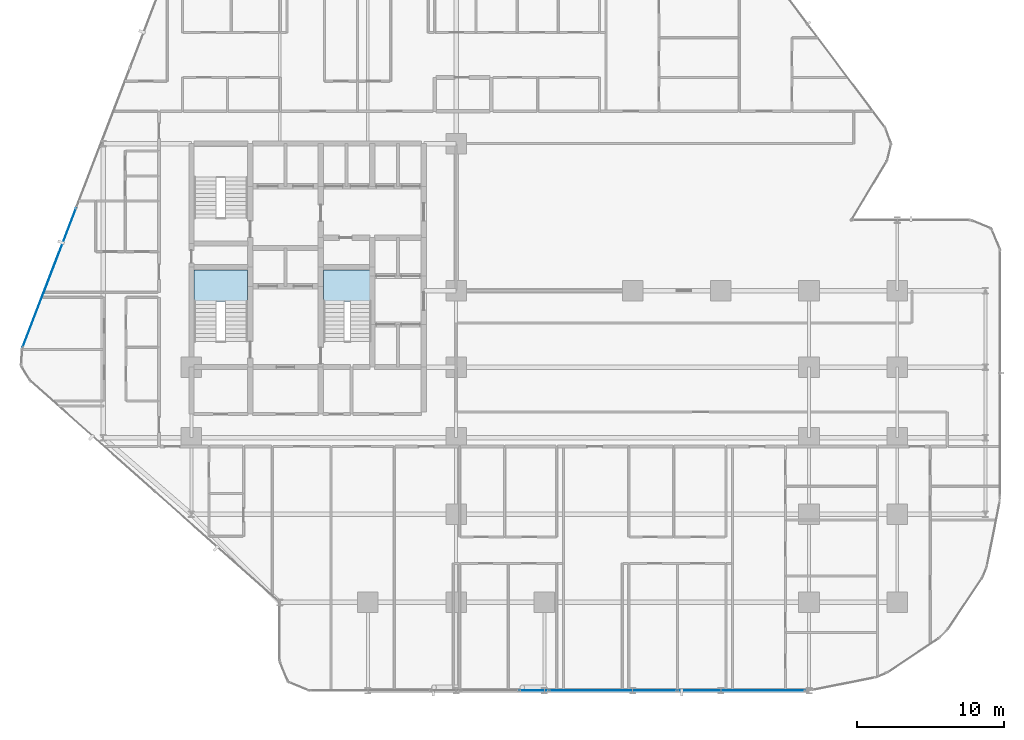
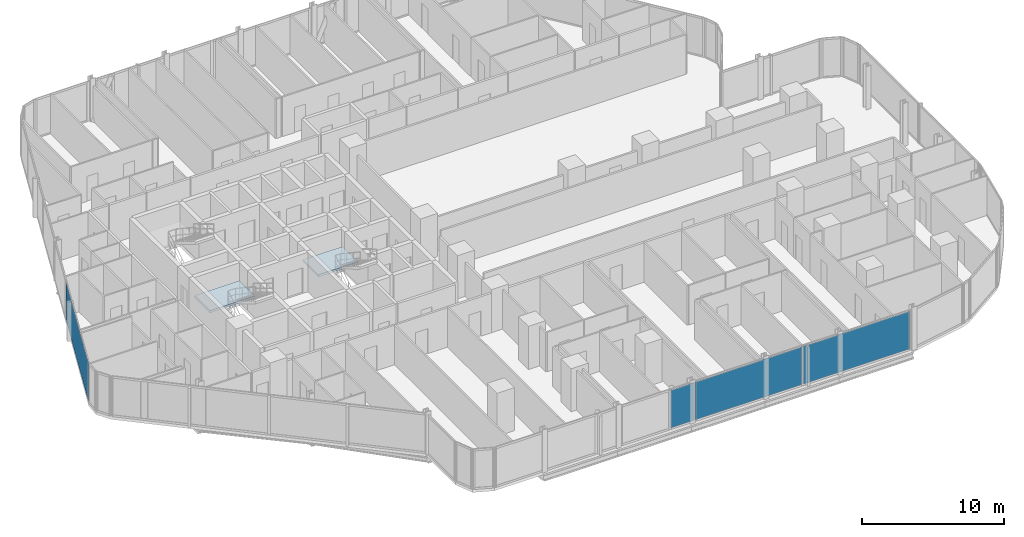
# One storey, part 21 of 34: 4 plates, 2 slabs, 5 elements without a shape of their own.
"""IFC4 building model written with IfcOpenShell, lengths in metres."""

from ifc_helpers import new_model, si_unit, direction, frame, origin, origin_2d, place, context, subcontext, project, spatial, polyline, rectangle, outline, extrude, material, layer, layer_set, type_object, element, aggregate, save


model = new_model("IFC4")

# Units and contexts
model_context = context("Model", 3, precision=1e-05, world=origin(), true_north=direction((0.0, 1.0)))
body_context = subcontext(model_context, "Body", "Model", "MODEL_VIEW")
ifc_project = project(units=[si_unit("LENGTHUNIT", "METRE"), si_unit("AREAUNIT", "SQUARE_METRE"), si_unit("VOLUMEUNIT", "CUBIC_METRE"), si_unit("PLANEANGLEUNIT", "RADIAN"), si_unit("MASSUNIT", "GRAM", prefix="KILO")], contexts=[model_context])

# Site, building, storey
site_placement = place(None, origin())
site = spatial("IfcSite", under=ifc_project, at=site_placement, CompositionType="ELEMENT")
building_placement = place(site_placement, origin())
building = spatial("IfcBuilding", under=site, at=building_placement, Name="Keshet Zoharim Tower", CompositionType="ELEMENT")
storey_placement = place(building_placement, frame((0.0, 0.0, 46.199951171875)))
storey = spatial("IfcBuildingStorey", under=building, at=storey_placement, Name="L10", CompositionType="ELEMENT", Elevation=46.199951171875)

# Curtain wall, plate
ifc_material_1 = material(Name="Aluminium 6063-T6", Category="aluminium")
ifc_layer_1 = layer(ifc_material_1, 0.179931640625)
ifc_layer_set_1 = layer_set([ifc_layer_1], Name="Aluminium 6063-T6")
curtain_wall_type = type_object("IfcCurtainWallType", Name="CW-SYS-01", PredefinedType="NOTDEFINED", material=ifc_layer_set_1)
curtain_wall_1_placement = place(storey_placement, origin())
curtain_wall_1 = element("IfcCurtainWall", 1, at=curtain_wall_1_placement, inside=storey, type_object=curtain_wall_type, Name="L10 Unitised Curtain Wall 04", PredefinedType="NOTDEFINED")
ifc_material_2 = material(Name="Insulated Low-E Clear Glass", Category="glass")
ifc_layer_2 = layer(ifc_material_2, 0.035888671875)
ifc_layer_set_2 = layer_set([ifc_layer_2], Name="Insulated Low-E Clear Glass")
plate_type_1 = type_object("IfcPlateType", Name="CWP-01", PredefinedType="CURTAIN_PANEL", material=ifc_layer_set_2)
plate_1_placement = place(storey_placement, frame((5.33837890625, 28.7802734375, 0.070068359375), z_axis=(0.0, 0.0, 1.0), x_axis=(0.358990003907, 0.933341404361, 0.0)))
plate_1 = element("IfcPlate", 2, at=plate_1_placement, type_object=plate_type_1, Name="CW-01 panel 1.1", PredefinedType="CURTAIN_PANEL", context=body_context, shape_type="SweptSolid", body=[
    extrude(rectangle(XDim=10.1181640625, YDim=0.035888671875, at=origin_2d()), origin(), (0.0, 0.0, 1.0), 3.2451171875),
])
aggregate(curtain_wall_1, [plate_1])

# Curtain wall, plates
curtain_wall_2_placement = place(storey_placement, origin())
curtain_wall_2 = element("IfcCurtainWall", 3, at=curtain_wall_2_placement, inside=storey, type_object=curtain_wall_type, Name="L10 Unitised Curtain Wall 26", PredefinedType="NOTDEFINED")
plate_2_placement = place(storey_placement, frame((52.400390625, 0.699951171875, 0.070068359375), z_axis=(0.0, 0.0, 1.0), x_axis=(-1.0, 0.0, 0.0)))
plate_2 = element("IfcPlate", 4, at=plate_2_placement, type_object=plate_type_1, Name="CW-01 panel 1.1", PredefinedType="CURTAIN_PANEL", context=body_context, shape_type="SweptSolid", body=[
    extrude(rectangle(XDim=8.665283203125, YDim=0.035888671875, at=origin_2d()), origin(), (0.0, 0.0, 1.0), 3.2451171875),
])
plate_3_placement = place(storey_placement, frame((43.665283203125, 0.699951171875, 0.070068359375), z_axis=(0.0, 0.0, 1.0), x_axis=(-1.0, 0.0, 0.0)))
plate_3 = element("IfcPlate", 5, at=plate_3_placement, type_object=plate_type_1, Name="CW-01 panel 2.1", PredefinedType="CURTAIN_PANEL", context=body_context, shape_type="SweptSolid", body=[
    extrude(rectangle(XDim=8.665283203125, YDim=0.035888671875, at=origin_2d()), origin(), (0.0, 0.0, 1.0), 3.2451171875),
])
aggregate(curtain_wall_2, [plate_2, plate_3])

# Curtain wall, plate
curtain_wall_3_placement = place(storey_placement, origin())
curtain_wall_3 = element("IfcCurtainWall", 6, at=curtain_wall_3_placement, inside=storey, type_object=curtain_wall_type, Name="L10 Unitised Curtain Wall 26 Part 2", PredefinedType="NOTDEFINED")
ifc_material_3 = material(Name="Insulated Aluminium Spandrel Panel", Category="aluminium")
ifc_layer_3 = layer(ifc_material_3, 0.035888671875)
ifc_layer_set_3 = layer_set([ifc_layer_3], Name="Insulated Aluminium Spandrel Panel")
plate_type_2 = type_object("IfcPlateType", Name="CWP-04", PredefinedType="CURTAIN_PANEL", material=ifc_layer_set_3)
plate_4_placement = place(storey_placement, frame((38.284912109375, 0.699951171875, 0.070068359375), z_axis=(0.0, 0.0, 1.0), x_axis=(-1.0, 0.0, 0.0)))
plate_4 = element("IfcPlate", 7, at=plate_4_placement, type_object=plate_type_2, Name="CW-01 spandrel panel 1.1", PredefinedType="CURTAIN_PANEL", context=body_context, shape_type="SweptSolid", body=[
    extrude(rectangle(XDim=1.955078125, YDim=0.035888671875, at=origin_2d()), origin(), (0.0, 0.0, 1.0), 3.2451171875),
])
aggregate(curtain_wall_3, [plate_4])

# Stair, slab
ifc_material_4 = material(Name="Concrete C50/60", Category="concrete")
stair_type = type_object("IfcStairType", Name="STR-EXIT-135", PredefinedType="HALF_TURN_STAIR", material=ifc_material_4)
stair_1_placement = place(storey_placement, origin())
stair_1 = element("IfcStair", 8, at=stair_1_placement, inside=storey, type_object=stair_type, Name="L10 Enclosed Exit Stair ST-01", PredefinedType="HALF_TURN_STAIR")
ifc_layer_4 = layer(ifc_material_4, 0.199951171875)
ifc_layer_set_4 = layer_set([ifc_layer_4], Name="Concrete C50/60")
slab_type = type_object("IfcSlabType", Name="SLB-LND-200", PredefinedType="LANDING", material=ifc_layer_set_4)
slab_1_placement = place(storey_placement, frame((0.0, 0.0, 1.650146484375)))
slab_1 = element("IfcSlab", 9, at=slab_1_placement, type_object=slab_type, Name="ST-01 landing 1", PredefinedType="LANDING", context=body_context, shape_type="SweptSolid", body=[
    extrude(outline(polyline([(15.179931640625, 27.159912109375), (18.820068359375, 27.159912109375), (18.820068359375, 29.320068359375), (15.179931640625, 29.320068359375), (15.179931640625, 27.159912109375)])), origin(), (0.0, 0.0, 1.0), 0.199951171875),
])
aggregate(stair_1, [slab_1])

stair_2_placement = place(storey_placement, origin())
stair_2 = element("IfcStair", 10, at=stair_2_placement, inside=storey, type_object=stair_type, Name="L10 Enclosed Exit Stair ST-03", PredefinedType="HALF_TURN_STAIR")
slab_2_placement = place(storey_placement, frame((0.0, 0.0, 1.650146484375)))
slab_2 = element("IfcSlab", 11, at=slab_2_placement, type_object=slab_type, Name="ST-03 landing 1", PredefinedType="LANDING", context=body_context, shape_type="SweptSolid", body=[
    extrude(outline(polyline([(23.97998046875, 27.159912109375), (27.219970703125, 27.159912109375), (27.219970703125, 29.320068359375), (23.97998046875, 29.320068359375), (23.97998046875, 27.159912109375)])), origin(), (0.0, 0.0, 1.0), 0.199951171875),
])
aggregate(stair_2, [slab_2])

save(model, "model.ifc")
